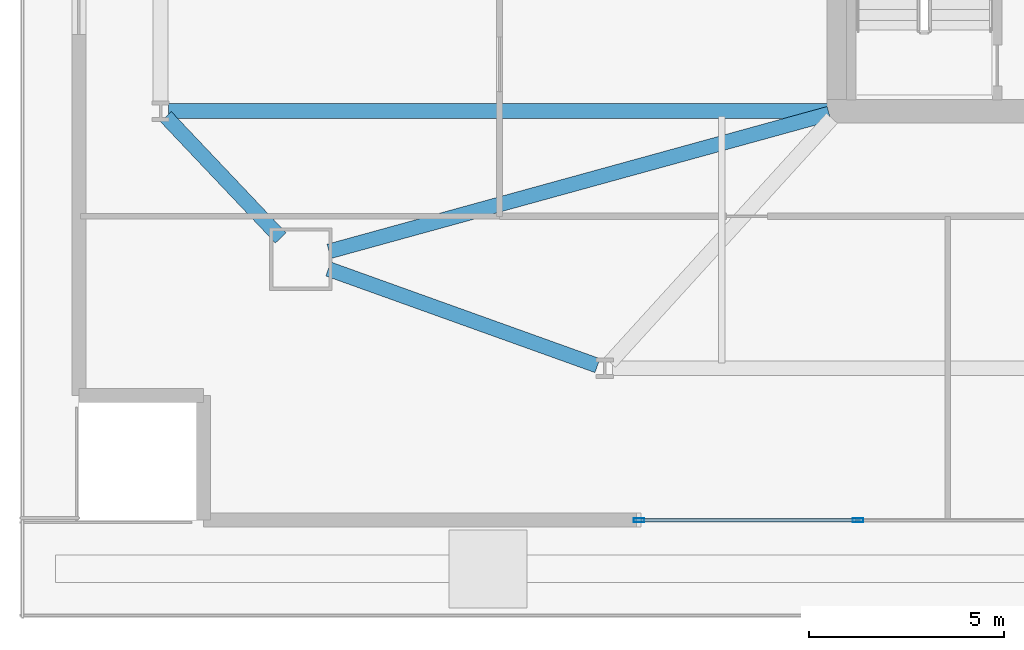
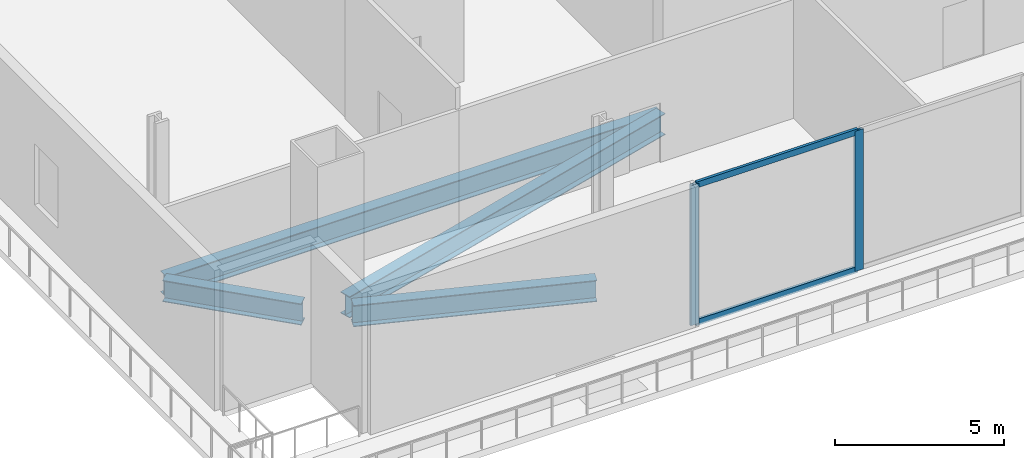
# One storey, part 2 of 20: 4 beams, 4 members, 1 element without a shape of its own.
"""IFC4 building model written with IfcOpenShell, lengths in metres."""

from ifc_helpers import new_model, si_unit, direction, frame, origin, origin_2d, place, context, subcontext, project, spatial, hollow_rectangle, i_section, extrude, material, material_profile, profile_set, type_object, element, aggregate, save


model = new_model("IFC4")

# Units and contexts
model_context = context("Model", 3, precision=1e-05, world=origin(), true_north=direction((0.0, 1.0)))
body_context = subcontext(model_context, "Body", "Model", "MODEL_VIEW")
ifc_project = project(units=[si_unit("LENGTHUNIT", "METRE"), si_unit("AREAUNIT", "SQUARE_METRE"), si_unit("VOLUMEUNIT", "CUBIC_METRE"), si_unit("PLANEANGLEUNIT", "RADIAN"), si_unit("MASSUNIT", "GRAM", prefix="KILO")], contexts=[model_context])

# Site, building, storey
site_placement = place(None, origin())
site = spatial("IfcSite", under=ifc_project, at=site_placement, CompositionType="ELEMENT")
building_placement = place(site_placement, origin())
building = spatial("IfcBuilding", under=site, at=building_placement, Name="Haldenkirk Collegiate Tower", CompositionType="ELEMENT")
storey_placement = place(building_placement, frame((0.0, 0.0, 11.39990234375)))
storey = spatial("IfcBuildingStorey", under=building, at=storey_placement, Name="L02", CompositionType="ELEMENT", Elevation=11.39990234375)

# Beams
ifc_material_1 = material(Name="Steel ASTM A992 Grade 50", Category="steel")
ifc_material_profile_1 = material_profile(ifc_material_1, i_section(OverallWidth=0.381103515625, OverallDepth=0.77294921875, WebThickness=0.0166015625, FlangeThickness=0.027099609375, at=origin_2d()), Name="W30X173")
ifc_profile_set_1 = profile_set([ifc_material_profile_1], Name="Steel ASTM A992 Grade 50")
beam_type = type_object("IfcBeamType", Name="BM-GIRDER-W30X173", PredefinedType="BEAM", material=ifc_profile_set_1)
beam_1_placement = place(storey_placement, frame((13.906005859375, 13.946533203125, -0.71630859375), z_axis=(0.941194128141, -0.337866265189, 0.0), x_axis=(0.337866265189, 0.941194128141, 0.0)))
element("IfcBeam", 1, at=beam_1_placement, inside=storey, type_object=beam_type, Name="L02 podium ring girder 01", PredefinedType="BEAM", context=body_context, shape_type="SweptSolid", body=[
    extrude(i_section(OverallWidth=0.381103515625, OverallDepth=0.77294921875, WebThickness=0.0166015625, FlangeThickness=0.027099609375, at=origin_2d()), origin(), (0.0, 0.0, 1.0), 7.337158203125),
])
beam_2_placement = place(storey_placement, frame((9.737548828125, 17.854736328125, -0.71630859375), z_axis=(0.687730422772, -0.725966160089, 0.0), x_axis=(0.725966160089, 0.687730422772, 0.0)))
element("IfcBeam", 2, at=beam_2_placement, inside=storey, type_object=beam_type, Name="L02 podium ring girder 14", PredefinedType="BEAM", context=body_context, shape_type="SweptSolid", body=[
    extrude(i_section(OverallWidth=0.381103515625, OverallDepth=0.77294921875, WebThickness=0.0166015625, FlangeThickness=0.027099609375, at=origin_2d()), origin(), (0.0, 0.0, 1.0), 4.284423828125),
])
beam_3_placement = place(storey_placement, frame((9.800048828125, 18.0, -0.71630859375), z_axis=(1.0, 0.0, 0.0), x_axis=(0.0, 1.0, 0.0)))
element("IfcBeam", 3, at=beam_3_placement, inside=storey, type_object=beam_type, Name="L02 podium radial girder 01", PredefinedType="BEAM", context=body_context, shape_type="SweptSolid", body=[
    extrude(i_section(OverallWidth=0.381103515625, OverallDepth=0.77294921875, WebThickness=0.0166015625, FlangeThickness=0.027099609375, at=origin_2d()), origin(), (0.0, 0.0, 1.0), 16.949951171875),
])
beam_4_placement = place(storey_placement, frame((13.923095703125, 14.399169921875, -0.71630859375), z_axis=(0.964118138457, 0.265473567606, 0.0), x_axis=(-0.265473567606, 0.964118138457, 0.0)))
element("IfcBeam", 4, at=beam_4_placement, inside=storey, type_object=beam_type, Name="L02 podium radial girder 11", PredefinedType="BEAM", context=body_context, shape_type="SweptSolid", body=[
    extrude(i_section(OverallWidth=0.381103515625, OverallDepth=0.77294921875, WebThickness=0.0166015625, FlangeThickness=0.027099609375, at=origin_2d()), origin(), (0.0, 0.0, 1.0), 13.313720703125),
])

# Curtain wall, members
ifc_material_2 = material(Name="Anodised architectural bronze aluminium", Category="aluminium")
curtain_wall_type = type_object("IfcCurtainWallType", Name="CW-SYS3-PODIUM", PredefinedType="USERDEFINED", material=ifc_material_2)
curtain_wall_placement = place(storey_placement, origin())
curtain_wall = element("IfcCurtainWall", 5, at=curtain_wall_placement, inside=storey, type_object=curtain_wall_type, Name="L02 Podium campus concourse and library storefront curtain wall", ObjectType="UNITISED CURTAIN WALL", PredefinedType="USERDEFINED")
ifc_material_profile_2 = material_profile(ifc_material_2, hollow_rectangle(XDim=0.094970703125, YDim=0.280029296875, WallThickness=0.0048828125, at=origin_2d()), Name="CW-MUL-03")
ifc_profile_set_2 = profile_set([ifc_material_profile_2], Name="Anodised architectural bronze aluminium")
member_type_1 = type_object("IfcMemberType", Name="CW-MUL-03", PredefinedType="MULLION", material=ifc_profile_set_2)
member_1_placement = place(storey_placement, frame((27.499267578125, 7.5, 0.0), z_axis=(0.0, 0.0, 1.0), x_axis=(0.0, -1.0, 0.0)))
member_1 = element("IfcMember", 6, at=member_1_placement, type_object=member_type_1, Name="CW-03 mullion 5", PredefinedType="MULLION", context=body_context, shape_type="SweptSolid", body=[
    extrude(hollow_rectangle(XDim=0.094970703125, YDim=0.280029296875, WallThickness=0.0048828125, at=origin_2d()), origin(), (0.0, 0.0, 1.0), 5.070068359375),
])
member_2_placement = place(storey_placement, frame((21.87939453125, 7.5, 0.0), z_axis=(0.0, 0.0, 1.0), x_axis=(0.0, -1.0, 0.0)))
member_2 = element("IfcMember", 7, at=member_2_placement, type_object=member_type_1, Name="CW-03 mullion 6", PredefinedType="MULLION", context=body_context, shape_type="SweptSolid", body=[
    extrude(hollow_rectangle(XDim=0.094970703125, YDim=0.280029296875, WallThickness=0.0048828125, at=origin_2d()), origin(), (0.0, 0.0, 1.0), 5.070068359375),
])
ifc_material_profile_3 = material_profile(ifc_material_2, hollow_rectangle(XDim=0.094970703125, YDim=0.219970703125, WallThickness=0.0048828125, at=origin_2d()), Name="CW-TRN-03")
ifc_profile_set_3 = profile_set([ifc_material_profile_3], Name="Anodised architectural bronze aluminium")
member_type_2 = type_object("IfcMemberType", Name="CW-TRN-03", PredefinedType="USERDEFINED", material=ifc_profile_set_3)
member_3_placement = place(storey_placement, frame((27.45166015625, 7.5, 0.047607421875), z_axis=(-1.0, 0.0, 0.0), x_axis=(0.0, -1.0, 0.0)))
member_3 = element("IfcMember", 8, at=member_3_placement, type_object=member_type_2, Name="CW-03 transom 5.1", ObjectType="TRANSOM", PredefinedType="USERDEFINED", context=body_context, shape_type="SweptSolid", body=[
    extrude(hollow_rectangle(XDim=0.094970703125, YDim=0.219970703125, WallThickness=0.0048828125, at=origin_2d()), origin(), (0.0, 0.0, 1.0), 5.524658203125),
])
member_4_placement = place(storey_placement, frame((27.45166015625, 7.5, 5.022705078125), z_axis=(-1.0, 0.0, 0.0), x_axis=(0.0, -1.0, 0.0)))
member_4 = element("IfcMember", 9, at=member_4_placement, type_object=member_type_2, Name="CW-03 transom 5.2", ObjectType="TRANSOM", PredefinedType="USERDEFINED", context=body_context, shape_type="SweptSolid", body=[
    extrude(hollow_rectangle(XDim=0.094970703125, YDim=0.219970703125, WallThickness=0.0048828125, at=origin_2d()), origin(), (0.0, 0.0, 1.0), 5.524658203125),
])
aggregate(curtain_wall, [member_1, member_2, member_3, member_4])

save(model, "model.ifc")
